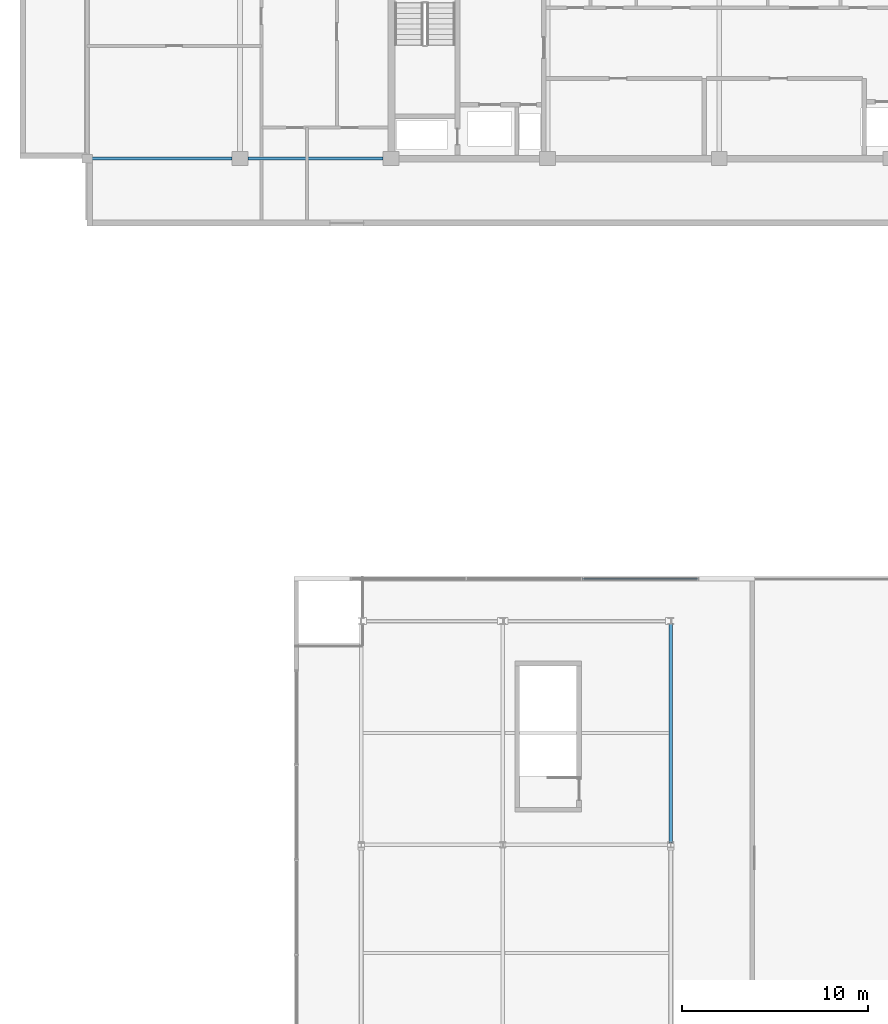
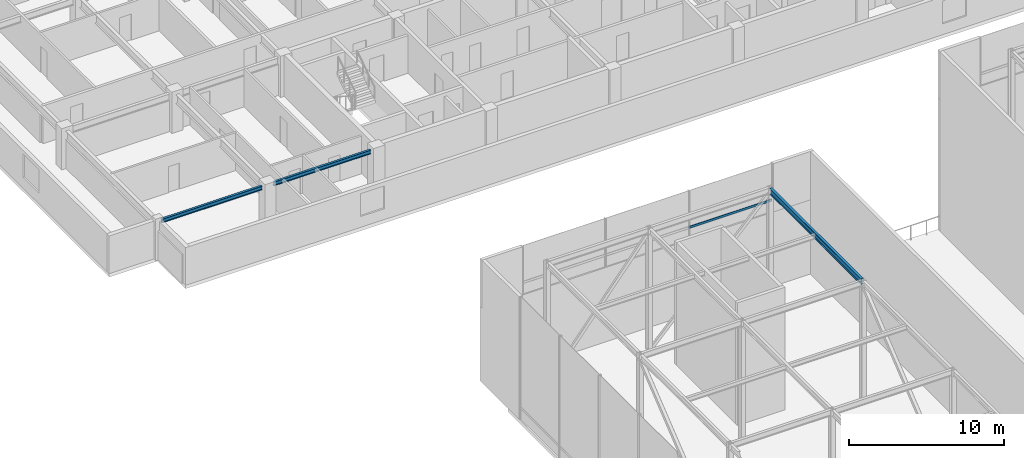
# One storey, part 16 of 42: 3 beams, 1 member, 1 element without a shape of its own.
"""IFC4 building model written with IfcOpenShell, lengths in metres."""

from ifc_helpers import new_model, si_unit, direction, frame, origin, origin_2d, place, context, subcontext, project, spatial, hollow_rectangle, i_section, extrude, material, layer, layer_set, material_profile, profile_set, type_object, element, aggregate, save


model = new_model("IFC4")

# Units and contexts
model_context = context("Model", 3, precision=1e-05, world=origin(), true_north=direction((0.0, 1.0)))
body_context = subcontext(model_context, "Body", "Model", "MODEL_VIEW")
ifc_project = project(units=[si_unit("LENGTHUNIT", "METRE"), si_unit("AREAUNIT", "SQUARE_METRE"), si_unit("VOLUMEUNIT", "CUBIC_METRE"), si_unit("PLANEANGLEUNIT", "RADIAN"), si_unit("MASSUNIT", "GRAM", prefix="KILO")], contexts=[model_context])

# Site, building, storey
site_placement = place(None, origin())
site = spatial("IfcSite", under=ifc_project, at=site_placement, CompositionType="ELEMENT")
building_placement = place(site_placement, origin())
building = spatial("IfcBuilding", under=site, at=building_placement, Name="Korimba Cascade Residences", CompositionType="ELEMENT")
storey_placement = place(building_placement, frame((0.0, 0.0, 207.60009765625)))
storey = spatial("IfcBuildingStorey", under=building, at=storey_placement, Name="L60", CompositionType="ELEMENT", Elevation=207.60009765625)

# Beams
ifc_material_1 = material(Name="Steel S355", Category="steel")
ifc_material_profile_1 = material_profile(ifc_material_1, i_section(OverallWidth=0.165771484375, OverallDepth=0.306640625, WebThickness=0.006591796875, FlangeThickness=0.01171875, FilletRadius=0.0087890625, at=origin_2d()), Name="Steel S355")
ifc_profile_set_1 = profile_set([ifc_material_profile_1], Name="Steel S355")
beam_type_1 = type_object("IfcBeamType", Name="BM-STL-UB305", PredefinedType="SPANDREL", material=ifc_profile_set_1)
beam_1_placement = place(storey_placement, frame((60.074951171875, 55.199951171875, 2.816650390625), z_axis=(1.0, 0.0, 0.0), x_axis=(0.0, 1.0, 0.0)))
element("IfcBeam", 1, at=beam_1_placement, inside=storey, type_object=beam_type_1, Name="L60 T1 E-W Girder Y1 Bay 1", PredefinedType="SPANDREL", context=body_context, shape_type="SweptSolid", body=[
    extrude(i_section(OverallWidth=0.165771484375, OverallDepth=0.306640625, WebThickness=0.006591796875, FlangeThickness=0.01171875, FilletRadius=0.0087890625, at=origin_2d()), origin(), (0.0, 0.0, 1.0), 7.5),
])
beam_2_placement = place(storey_placement, frame((68.425048828125, 55.199951171875, 2.816650390625), z_axis=(1.0, 0.0, 0.0), x_axis=(0.0, 1.0, 0.0)))
element("IfcBeam", 2, at=beam_2_placement, inside=storey, type_object=beam_type_1, Name="L60 T1 E-W Girder Y1 Bay 2", PredefinedType="SPANDREL", context=body_context, shape_type="SweptSolid", body=[
    extrude(i_section(OverallWidth=0.165771484375, OverallDepth=0.306640625, WebThickness=0.006591796875, FlangeThickness=0.01171875, FilletRadius=0.0087890625, at=origin_2d()), origin(), (0.0, 0.0, 1.0), 7.25),
])
ifc_material_profile_2 = material_profile(ifc_material_1, i_section(OverallWidth=0.19140625, OverallDepth=0.4599609375, WebThickness=0.010009765625, FlangeThickness=0.01611328125, FilletRadius=0.01025390625, at=origin_2d()), Name="Steel S355")
ifc_profile_set_2 = profile_set([ifc_material_profile_2], Name="Steel S355")
beam_type_2 = type_object("IfcBeamType", Name="BM-STL-UB457", PredefinedType="JOIST", material=ifc_profile_set_2)
beam_3_placement = place(storey_placement, frame((91.10009765625, 18.5048828125, 9.419921875), z_axis=(0.0, 1.0, 0.0), x_axis=(-1.0, 0.0, 0.0)))
element("IfcBeam", 3, at=beam_3_placement, inside=storey, type_object=beam_type_2, Name="L60 Crown Cap Tie Beam W3.3", PredefinedType="JOIST", context=body_context, shape_type="SweptSolid", body=[
    extrude(i_section(OverallWidth=0.19140625, OverallDepth=0.4599609375, WebThickness=0.010009765625, FlangeThickness=0.01611328125, FilletRadius=0.01025390625, at=origin_2d()), origin(), (0.0, 0.0, 1.0), 11.7900390625),
])

# Curtain wall, member
ifc_material_2 = material(Name="Anodised Aluminium Curtain Wall Framing", Category="aluminium")
ifc_layer = layer(ifc_material_2, 0.179931640625)
ifc_layer_set = layer_set([ifc_layer], Name="Anodised Aluminium Curtain Wall Framing")
curtain_wall_type = type_object("IfcCurtainWallType", Name="CW-CRNE-SYS6", PredefinedType="NOTDEFINED", material=ifc_layer_set)
curtain_wall_placement = place(storey_placement, origin())
curtain_wall = element("IfcCurtainWall", 4, at=curtain_wall_placement, inside=storey, type_object=curtain_wall_type, Name="L60 Curtain Wall CW-L60-CRN-W-2", PredefinedType="NOTDEFINED")
ifc_material_3 = material(Name="Anodised Aluminium Transom", Category="aluminium")
ifc_material_profile_3 = material_profile(ifc_material_3, hollow_rectangle(XDim=0.070068359375, YDim=0.179931640625, WallThickness=0.0048828125, InnerFilletRadius=0.0048828125, OuterFilletRadius=0.010009765625, at=origin_2d()), Name="Anodised Aluminium Transom")
ifc_profile_set_3 = profile_set([ifc_material_profile_3], Name="Anodised Aluminium Transom")
member_type = type_object("IfcMemberType", Name="CWM-TRN-150", PredefinedType="USERDEFINED", material=ifc_profile_set_3)
member_placement = place(storey_placement, frame((86.36669921875, 32.675048828125, 6.75), z_axis=(1.0, 0.0, 0.0), x_axis=(0.0, 1.0, 0.0)))
member = element("IfcMember", 5, at=member_placement, type_object=member_type, Name="CW-L60-CRN-W-2 Transom 3", ObjectType="TRANSOM", PredefinedType="USERDEFINED", context=body_context, shape_type="SweptSolid", body=[
    extrude(hollow_rectangle(XDim=0.070068359375, YDim=0.179931640625, WallThickness=0.0048828125, InnerFilletRadius=0.0048828125, OuterFilletRadius=0.010009765625, at=origin_2d()), origin(), (0.0, 0.0, 1.0), 6.193359375),
])
aggregate(curtain_wall, [member])

save(model, "model.ifc")
